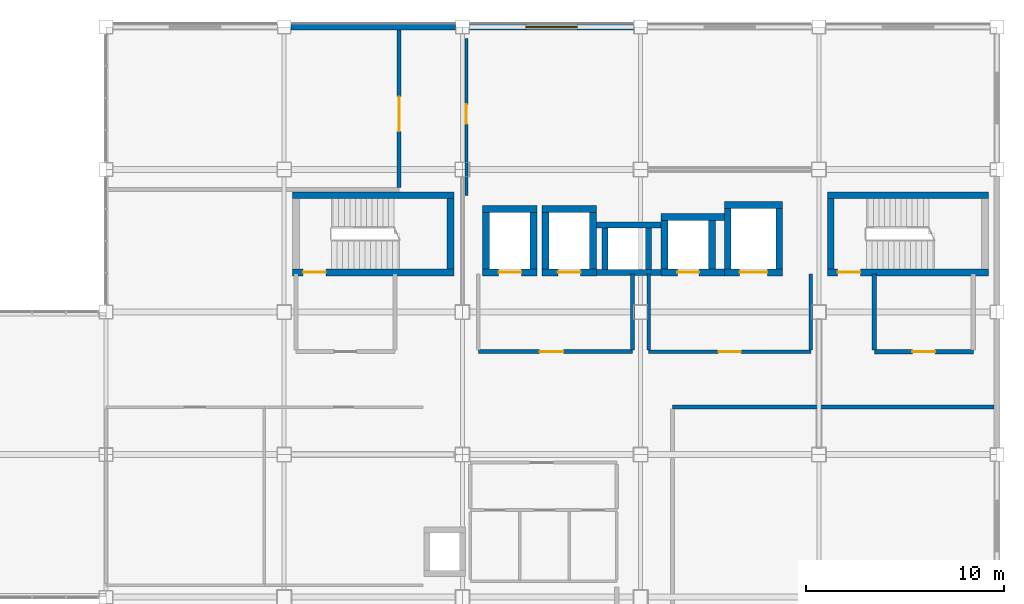
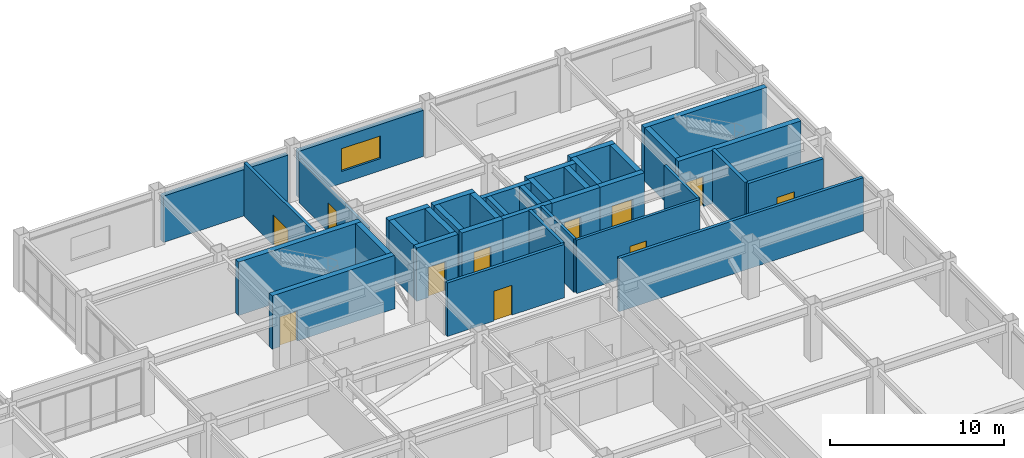
# One storey, part 105 of 122: 38 walls, 11 doors, 1 window, 12 openings.
"""IFC4 building model written with IfcOpenShell, lengths in metres."""

from ifc_helpers import new_model, si_unit, direction, frame, frame_2d, origin, place, context, subcontext, project, spatial, rectangle, extrude, material, layer, layer_set, type_object, element, fill, save


model = new_model("IFC4")

# Units and contexts
model_context = context("Model", 3, precision=1e-05, world=origin(), true_north=direction((0.0, 1.0)))
body_context = subcontext(model_context, "Body", "Model", "MODEL_VIEW")
ifc_project = project(units=[si_unit("LENGTHUNIT", "METRE"), si_unit("AREAUNIT", "SQUARE_METRE"), si_unit("VOLUMEUNIT", "CUBIC_METRE"), si_unit("PLANEANGLEUNIT", "RADIAN"), si_unit("MASSUNIT", "GRAM", prefix="KILO")], contexts=[model_context])

# Site, building, storey
site_placement = place(None, origin())
site = spatial("IfcSite", under=ifc_project, at=site_placement, CompositionType="ELEMENT")
building_placement = place(site_placement, origin())
building = spatial("IfcBuilding", under=site, at=building_placement, Name="Kazanami Central Library", CompositionType="ELEMENT")
storey_placement = place(building_placement, frame((0.0, 0.0, 4.800048828125)))
storey = spatial("IfcBuildingStorey", under=building, at=storey_placement, Name="L02", CompositionType="ELEMENT", Elevation=4.800048828125)

# Wall
ifc_material_1 = material(Name="Concrete Fc36 (36 MPa)", Category="concrete")
ifc_layer_1 = layer(ifc_material_1, 0.239990234375, Name="Concrete Fc36 (36 MPa)")
ifc_material_2 = material(Name="Extruded Polystyrene XPS", Category="earth")
ifc_layer_2 = layer(ifc_material_2, 0.050048828125, Name="Extruded Polystyrene XPS")
ifc_material_3 = material(Name="Honed Inada Granite", Category="masonry")
ifc_layer_3 = layer(ifc_material_3, 0.030029296875, Name="Honed Inada Granite")
ifc_layer_set_1 = layer_set([ifc_layer_1, ifc_layer_2, ifc_layer_3], Name="Concrete Fc36 (36 MPa)")
wall_type_1 = type_object("IfcWallType", Name="WAL-EW-320", PredefinedType="STANDARD", material=ifc_layer_set_1)
wall_1_placement = place(storey_placement, frame((134.64990234375, 93.60009765625, 0.0), z_axis=(0.0, 0.0, 1.0), x_axis=(-1.0, 0.0, 0.0)))
element("IfcWall", 1, at=wall_1_placement, inside=storey, type_object=wall_type_1, Name="Exterior Facade Wall EW-320 L02 N-O-14", PredefinedType="STANDARD", context=body_context, shape_type="SweptSolid", body=[
    extrude(rectangle(XDim=8.2998046875, YDim=0.320068359375, at=frame_2d((4.14990234375, 0.0))), origin(), (0.0, 0.0, 1.0), 3.2548828125),
])

# Wall, opening, window
wall_2_placement = place(storey_placement, frame((143.64990234375, 93.60009765625, 0.0), z_axis=(0.0, 0.0, 1.0), x_axis=(-1.0, 0.0, 0.0)))
wall_2 = element("IfcWall", 2, at=wall_2_placement, inside=storey, type_object=wall_type_1, Name="Exterior Facade Wall EW-320 L02 N-O-15", PredefinedType="STANDARD", context=body_context, shape_type="SweptSolid", body=[
    extrude(rectangle(XDim=8.2998046875, YDim=0.320068359375, at=frame_2d((4.14990234375, 0.0))), origin(), (0.0, 0.0, 1.0), 3.2548828125),
])
opening_1_placement = place(wall_2_placement, frame((2.85009765625, 0.0, 0.85009765625)))
opening_1 = element("IfcOpeningElement", 3, at=opening_1_placement, cuts=wall_2, Name="Opening WN-13", PredefinedType="OPENING", context=body_context, shape_type="SweptSolid", body=[
    extrude(rectangle(XDim=2.60009765625, YDim=1.60009765625, at=frame_2d((1.300048828125, 0.800048828125))), frame((0.0, 0.171875, 0.0), z_axis=(0.0, -1.0, 0.0), x_axis=(1.0, 0.0, 0.0)), (0.0, 0.0, 1.0), 0.343994140625),
])
ifc_material_4 = material(Name="Low-E Insulated Triple Glass", Category="glass")
window_type = type_object("IfcWindowType", Name="WIN-WN-13", PartitioningType="DOUBLE_PANEL_VERTICAL", PredefinedType="WINDOW", material=ifc_material_4)
window_placement = place(opening_1_placement, origin())
window = element("IfcWindow", 4, at=window_placement, inside=storey, type_object=window_type, Name="Facade Window WN-13 L02 N-O-15", OverallHeight=1.60009765625, OverallWidth=2.60009765625, PartitioningType="DOUBLE_PANEL_VERTICAL", PredefinedType="WINDOW", context=body_context, shape_type="SweptSolid", body=[
    extrude(rectangle(XDim=2.60009765625, YDim=1.60009765625, at=frame_2d((1.300048828125, 0.800048828125))), frame((0.0, 0.030029296875, 0.0), z_axis=(0.0, -1.0, 0.0), x_axis=(1.0, 0.0, 0.0)), (0.0, 0.0, 1.0), 0.06005859375),
])
fill(opening_1, window)

# Wall, opening, door
ifc_material_5 = material(Name="Fire-Resistant Gypsum Board GB-F", Category="gypsum")
ifc_layer_4 = layer(ifc_material_5, 0.1650390625, Name="Fire-Resistant Gypsum Board GB-F")
ifc_layer_set_2 = layer_set([ifc_layer_4], Name="Fire-Resistant Gypsum Board GB-F")
wall_type_2 = type_object("IfcWallType", Name="WAL-FW-165", PredefinedType="PARTITIONING", material=ifc_layer_set_2)
wall_3_placement = place(storey_placement, frame((135.199951171875, 85.090087890625, 0.0), z_axis=(0.0, 0.0, 1.0), x_axis=(0.0, 1.0, 0.0)))
wall_3 = element("IfcWall", 5, at=wall_3_placement, inside=storey, type_object=wall_type_2, Name="Interior Partition FW-165 L02 RM-47 (West)", PredefinedType="PARTITIONING", context=body_context, shape_type="SweptSolid", body=[
    extrude(rectangle(XDim=7.9248046875, YDim=0.1650390625, at=frame_2d((3.96240234375, 0.0))), origin(), (0.0, 0.0, 1.0), 3.034912109375),
])
opening_2_placement = place(wall_3_placement, frame((3.6201171875, 0.0, 0.0)))
opening_2 = element("IfcOpeningElement", 6, at=opening_2_placement, cuts=wall_3, Name="Opening FD30-3", PredefinedType="OPENING", context=body_context, shape_type="SweptSolid", body=[
    extrude(rectangle(XDim=0.97998046875, YDim=2.02001953125, at=frame_2d((0.489990234375, 1.010009765625))), frame((0.0, 0.094482421875, 0.0), z_axis=(0.0, -1.0, 0.0), x_axis=(1.0, 0.0, 0.0)), (0.0, 0.0, 1.0), 0.18896484375),
])
ifc_material_6 = material(Name="Cold-Rolled Steel SPCC", Category="steel")
door_type_1 = type_object("IfcDoorType", Name="DOR-FD30-3", OperationType="NOTDEFINED", PredefinedType="DOOR", material=ifc_material_6)
door_1_placement = place(opening_2_placement, origin())
door_1 = element("IfcDoor", 7, at=door_1_placement, inside=storey, type_object=door_type_1, Name="Interior Door FD30-3 L02 RM-47", OperationType="SINGLE_SWING_LEFT", OverallHeight=2.02001953125, OverallWidth=0.97998046875, PredefinedType="DOOR", context=body_context, shape_type="SweptSolid", body=[
    extrude(rectangle(XDim=0.97998046875, YDim=2.02001953125, at=frame_2d((0.489990234375, 1.010009765625))), frame((0.0, 0.02490234375, 0.0), z_axis=(0.0, -1.0, 0.0), x_axis=(1.0, 0.0, 0.0)), (0.0, 0.0, 1.0), 0.050048828125),
])
fill(opening_2, door_1)

ifc_layer_5 = layer(ifc_material_5, 0.179931640625, Name="Fire-Resistant Gypsum Board GB-F")
ifc_layer_set_3 = layer_set([ifc_layer_5], Name="Fire-Resistant Gypsum Board GB-F")
wall_type_3 = type_object("IfcWallType", Name="WAL-FW-180", PredefinedType="PARTITIONING", material=ifc_layer_set_3)
wall_4_placement = place(storey_placement, frame((144.39990234375, 77.199951171875, 0.0), z_axis=(0.0, 0.0, 1.0), x_axis=(1.0, 0.0, 0.0)))
wall_4 = element("IfcWall", 8, at=wall_4_placement, inside=storey, type_object=wall_type_3, Name="Interior Partition FW-180 L02 LOBBY-V2 (South)", PredefinedType="PARTITIONING", context=body_context, shape_type="SweptSolid", body=[
    extrude(rectangle(XDim=8.2001953125, YDim=0.179931640625, at=frame_2d((4.10009765625, 0.0))), origin(), (0.0, 0.0, 1.0), 3.7548828125),
])
opening_3_placement = place(wall_4_placement, frame((3.5400390625, 0.0, 0.0)))
opening_3 = element("IfcOpeningElement", 9, at=opening_3_placement, cuts=wall_4, Name="Opening FD30-8", PredefinedType="OPENING", context=body_context, shape_type="SweptSolid", body=[
    extrude(rectangle(XDim=1.1201171875, YDim=2.080078125, at=frame_2d((0.56005859375, 1.0400390625))), frame((0.0, 0.10205078125, 0.0), z_axis=(0.0, -1.0, 0.0), x_axis=(1.0, 0.0, 0.0)), (0.0, 0.0, 1.0), 0.203857421875),
])
door_type_2 = type_object("IfcDoorType", Name="DOR-FD30-8", OperationType="NOTDEFINED", PredefinedType="DOOR", material=ifc_material_6)
door_2_placement = place(opening_3_placement, frame((1.1201171875, 0.0, 0.0), z_axis=(0.0, 0.0, 1.0), x_axis=(-1.0, 0.0, 0.0)))
door_2 = element("IfcDoor", 10, at=door_2_placement, inside=storey, type_object=door_type_2, Name="Interior Door FD30-8 L02 LOBBY-V2", OperationType="SINGLE_SWING_LEFT", OverallHeight=2.080078125, OverallWidth=1.1201171875, PredefinedType="DOOR", context=body_context, shape_type="SweptSolid", body=[
    extrude(rectangle(XDim=1.1201171875, YDim=2.080078125, at=frame_2d((0.56005859375, 1.0400390625))), frame((0.0, 0.02490234375, 0.0), z_axis=(0.0, -1.0, 0.0), x_axis=(1.0, 0.0, 0.0)), (0.0, 0.0, 1.0), 0.050048828125),
])
fill(opening_3, door_2)

# Walls
for number, where, z_axis, x_axis, name in (
    (11, (144.39990234375, 77.2900390625, 0.0), (0.0, 0.0, 1.0), (0.0, 1.0, 0.0), "Interior Partition FW-180 L02 LOBBY-V2 (West)"),
    (12, (152.60009765625, 77.2900390625, 0.0), (0.0, 0.0, 1.0), (0.0, 1.0, 0.0), "Interior Partition FW-180 L02 LOBBY-V2 (East)"),
):
    element("IfcWall", number, at=place(storey_placement, frame(where, z_axis=z_axis, x_axis=x_axis)), inside=storey, type_object=wall_type_3, Name=name, PredefinedType="PARTITIONING", context=body_context, shape_type="SweptSolid", body=[
        extrude(rectangle(XDim=3.820068359375, YDim=0.179931640625, at=frame_2d((1.91015625, 0.0))), origin(), (0.0, 0.0, 1.0), 3.7548828125),
    ])

# Wall, opening, door
ifc_layer_6 = layer(ifc_material_5, 0.199951171875, Name="Fire-Resistant Gypsum Board GB-F")
ifc_layer_set_4 = layer_set([ifc_layer_6], Name="Fire-Resistant Gypsum Board GB-F")
wall_type_4 = type_object("IfcWallType", Name="WAL-FW-200", PredefinedType="PARTITIONING", material=ifc_layer_set_4)
wall_5_placement = place(storey_placement, frame((135.800048828125, 77.199951171875, 0.0), z_axis=(0.0, 0.0, 1.0), x_axis=(1.0, 0.0, 0.0)))
wall_5 = element("IfcWall", 13, at=wall_5_placement, inside=storey, type_object=wall_type_4, Name="Interior Partition FW-200 L02 LOBBY-FF (South)", PredefinedType="PARTITIONING", context=body_context, shape_type="SweptSolid", body=[
    extrude(rectangle(XDim=7.800048828125, YDim=0.199951171875, at=frame_2d((3.89990234375, 0.0))), origin(), (0.0, 0.0, 1.0), 3.7548828125),
])
opening_4_placement = place(wall_5_placement, frame((3.10009765625, 0.0, 0.0)))
opening_4 = element("IfcOpeningElement", 14, at=opening_4_placement, cuts=wall_5, Name="Opening FD60-1", PredefinedType="OPENING", context=body_context, shape_type="SweptSolid", body=[
    extrude(rectangle(XDim=1.199951171875, YDim=2.10009765625, at=frame_2d((0.60009765625, 1.050048828125))), frame((0.0, 0.11181640625, 0.0), z_axis=(0.0, -1.0, 0.0), x_axis=(1.0, 0.0, 0.0)), (0.0, 0.0, 1.0), 0.223876953125),
])
door_type_3 = type_object("IfcDoorType", Name="DOR-FD60-1", OperationType="NOTDEFINED", PredefinedType="DOOR", material=ifc_material_6)
door_3_placement = place(opening_4_placement, frame((1.199951171875, 0.0, 0.0), z_axis=(0.0, 0.0, 1.0), x_axis=(-1.0, 0.0, 0.0)))
door_3 = element("IfcDoor", 15, at=door_3_placement, inside=storey, type_object=door_type_3, Name="Interior Door FD60-1 L02 LOBBY-FF", OperationType="SINGLE_SWING_RIGHT", OverallHeight=2.10009765625, OverallWidth=1.199951171875, PredefinedType="DOOR", context=body_context, shape_type="SweptSolid", body=[
    extrude(rectangle(XDim=1.199951171875, YDim=2.10009765625, at=frame_2d((0.60009765625, 1.050048828125))), frame((0.0, 0.02490234375, 0.0), z_axis=(0.0, -1.0, 0.0), x_axis=(1.0, 0.0, 0.0)), (0.0, 0.0, 1.0), 0.050048828125),
])
fill(opening_4, door_3)

# Walls
wall_6_placement = place(storey_placement, frame((143.60009765625, 77.2900390625, 0.0), z_axis=(0.0, 0.0, 1.0), x_axis=(0.0, 1.0, 0.0)))
element("IfcWall", 16, at=wall_6_placement, inside=storey, type_object=wall_type_4, Name="Interior Partition FW-200 L02 LOBBY-FF (East)", PredefinedType="PARTITIONING", context=body_context, shape_type="SweptSolid", body=[
    extrude(rectangle(XDim=3.820068359375, YDim=0.199951171875, at=frame_2d((1.91015625, 0.0))), origin(), (0.0, 0.0, 1.0), 3.7548828125),
])
wall_7_placement = place(storey_placement, frame((145.60009765625, 74.39990234375, 0.0), z_axis=(0.0, 0.0, 1.0), x_axis=(1.0, 0.0, 0.0)))
element("IfcWall", 17, at=wall_7_placement, inside=storey, type_object=wall_type_4, Name="Interior Partition FW-200 L02 RM-45 (North)", PredefinedType="PARTITIONING", context=body_context, shape_type="SweptSolid", body=[
    extrude(rectangle(XDim=16.244873046875, YDim=0.199951171875, at=frame_2d((8.12255859375, 0.0))), origin(), (0.0, 0.0, 1.0), 3.7548828125),
])

# Wall, opening, door
wall_8_placement = place(storey_placement, frame((131.800048828125, 85.489990234375, 0.0), z_axis=(0.0, 0.0, 1.0), x_axis=(0.0, 1.0, 0.0)))
wall_8 = element("IfcWall", 18, at=wall_8_placement, inside=storey, type_object=wall_type_4, Name="Interior Partition FW-200 L02 RM-46 (East)", PredefinedType="PARTITIONING", context=body_context, shape_type="SweptSolid", body=[
    extrude(rectangle(XDim=7.945068359375, YDim=0.199951171875, at=frame_2d((3.97265625, 0.0))), origin(), (0.0, 0.0, 1.0), 3.7548828125),
])
opening_5_placement = place(wall_8_placement, frame((2.8349609375, 0.0, 0.0)))
opening_5 = element("IfcOpeningElement", 19, at=opening_5_placement, cuts=wall_8, Name="Opening FD60-5", PredefinedType="OPENING", context=body_context, shape_type="SweptSolid", body=[
    extrude(rectangle(XDim=1.75, YDim=2.1201171875, at=frame_2d((0.875, 1.06005859375))), frame((0.0, 0.11181640625, 0.0), z_axis=(0.0, -1.0, 0.0), x_axis=(1.0, 0.0, 0.0)), (0.0, 0.0, 1.0), 0.223876953125),
])
door_type_4 = type_object("IfcDoorType", Name="DOR-FD60-5", OperationType="DOUBLE_DOOR_SINGLE_SWING", PredefinedType="DOOR", material=ifc_material_6)
door_4_placement = place(opening_5_placement, origin())
door_4 = element("IfcDoor", 20, at=door_4_placement, inside=storey, type_object=door_type_4, Name="Interior Door FD60-5 L02 RM-46", OperationType="DOUBLE_DOOR_SINGLE_SWING", OverallHeight=2.1201171875, OverallWidth=1.75, PredefinedType="DOOR", context=body_context, shape_type="SweptSolid", body=[
    extrude(rectangle(XDim=1.75, YDim=2.1201171875, at=frame_2d((0.875, 1.06005859375))), frame((0.0, 0.02490234375, 0.0), z_axis=(0.0, -1.0, 0.0), x_axis=(1.0, 0.0, 0.0)), (0.0, 0.0, 1.0), 0.050048828125),
])
fill(opening_5, door_4)

ifc_layer_7 = layer(ifc_material_5, 0.219970703125, Name="Fire-Resistant Gypsum Board GB-F")
ifc_layer_set_5 = layer_set([ifc_layer_7], Name="Fire-Resistant Gypsum Board GB-F")
wall_type_5 = type_object("IfcWallType", Name="WAL-FW-220", PredefinedType="PARTITIONING", material=ifc_layer_set_5)
wall_9_placement = place(storey_placement, frame((155.800048828125, 77.199951171875, 0.0), z_axis=(0.0, 0.0, 1.0), x_axis=(1.0, 0.0, 0.0)))
wall_9 = element("IfcWall", 21, at=wall_9_placement, inside=storey, type_object=wall_type_5, Name="Interior Partition FW-220 L02 VEST-ST-02 (South)", PredefinedType="PARTITIONING", context=body_context, shape_type="SweptSolid", body=[
    extrude(rectangle(XDim=5.0, YDim=0.219970703125, at=frame_2d((2.5, 0.0))), origin(), (0.0, 0.0, 1.0), 3.7548828125),
])
opening_6_placement = place(wall_9_placement, frame((1.925048828125, 0.0, 0.0)))
opening_6 = element("IfcOpeningElement", 22, at=opening_6_placement, cuts=wall_9, Name="Opening FD60-2", PredefinedType="OPENING", context=body_context, shape_type="SweptSolid", body=[
    extrude(rectangle(XDim=1.14990234375, YDim=2.10009765625, at=frame_2d((0.574951171875, 1.050048828125))), frame((0.0, 0.1220703125, 0.0), z_axis=(0.0, -1.0, 0.0), x_axis=(1.0, 0.0, 0.0)), (0.0, 0.0, 1.0), 0.243896484375),
])
door_type_5 = type_object("IfcDoorType", Name="DOR-FD60-2", OperationType="NOTDEFINED", PredefinedType="DOOR", material=ifc_material_6)
door_5_placement = place(opening_6_placement, origin())
door_5 = element("IfcDoor", 23, at=door_5_placement, inside=storey, type_object=door_type_5, Name="Interior Door FD60-2 L02 VEST-ST-02", OperationType="SINGLE_SWING_LEFT", OverallHeight=2.10009765625, OverallWidth=1.14990234375, PredefinedType="DOOR", context=body_context, shape_type="SweptSolid", body=[
    extrude(rectangle(XDim=1.14990234375, YDim=2.10009765625, at=frame_2d((0.574951171875, 1.050048828125))), frame((0.0, 0.02490234375, 0.0), z_axis=(0.0, -1.0, 0.0), x_axis=(1.0, 0.0, 0.0)), (0.0, 0.0, 1.0), 0.050048828125),
])
fill(opening_6, door_5)

# Walls
wall_10_placement = place(storey_placement, frame((155.800048828125, 77.2900390625, 0.0), z_axis=(0.0, 0.0, 1.0), x_axis=(0.0, 1.0, 0.0)))
element("IfcWall", 24, at=wall_10_placement, inside=storey, type_object=wall_type_5, Name="Interior Partition FW-220 L02 VEST-ST-02 (West)", PredefinedType="PARTITIONING", context=body_context, shape_type="SweptSolid", body=[
    extrude(rectangle(XDim=3.820068359375, YDim=0.219970703125, at=frame_2d((1.91015625, 0.0))), origin(), (0.0, 0.0, 1.0), 3.7548828125),
])
ifc_layer_8 = layer(ifc_material_1, 0.300048828125, Name="Concrete Fc36 (36 MPa)")
ifc_layer_set_6 = layer_set([ifc_layer_8], Name="Concrete Fc36 (36 MPa)")
wall_type_6 = type_object("IfcWallType", Name="WAL-SW-300", PredefinedType="SHEAR", material=ifc_layer_set_6)
for number, where, z_axis, x_axis, name in (
    (25, (141.77490234375, 81.199951171875, 0.0), (0.0, 0.0, 1.0), (1.0, 0.0, 0.0), "Service Riser Wall RSR-V2-A S L02"),
    (26, (141.77490234375, 83.60009765625, 0.0), (0.0, 0.0, 1.0), (1.0, 0.0, 0.0), "Service Riser Wall RSR-V2-A N L02"),
):
    element("IfcWall", number, at=place(storey_placement, frame(where, z_axis=z_axis, x_axis=x_axis)), inside=storey, type_object=wall_type_6, Name=name, PredefinedType="SHEAR", context=body_context, shape_type="SweptSolid", body=[
        extrude(rectangle(XDim=3.25, YDim=0.300048828125, at=frame_2d((1.625, 0.0))), origin(), (0.0, 0.0, 1.0), 3.7548828125),
    ])
for number, where, z_axis, x_axis, name in (
    (27, (142.199951171875, 81.35009765625, 0.0), (0.0, 0.0, 1.0), (0.0, 1.0, 0.0), "Service Riser Wall RSR-V2-A W L02"),
    (28, (144.39990234375, 81.35009765625, 0.0), (0.0, 0.0, 1.0), (0.0, 1.0, 0.0), "Service Riser Wall RSR-V2-A E L02"),
):
    element("IfcWall", number, at=place(storey_placement, frame(where, z_axis=z_axis, x_axis=x_axis)), inside=storey, type_object=wall_type_6, Name=name, PredefinedType="SHEAR", context=body_context, shape_type="SweptSolid", body=[
        extrude(rectangle(XDim=2.099853515625, YDim=0.300048828125, at=frame_2d((1.0498046875, 0.0))), origin(), (0.0, 0.0, 1.0), 3.7548828125),
    ])

# Wall, opening, door
ifc_layer_9 = layer(ifc_material_1, 0.35009765625, Name="Concrete Fc36 (36 MPa)")
ifc_layer_set_7 = layer_set([ifc_layer_9], Name="Concrete Fc36 (36 MPa)")
wall_type_7 = type_object("IfcWallType", Name="WAL-SW-350", PredefinedType="SHEAR", material=ifc_layer_set_7)
wall_11_placement = place(storey_placement, frame((126.425048828125, 81.199951171875, 0.0), z_axis=(0.0, 0.0, 1.0), x_axis=(1.0, 0.0, 0.0)))
wall_11 = element("IfcWall", 29, at=wall_11_placement, inside=storey, type_object=wall_type_7, Name="Stair Core Wall ST-01 South L02", PredefinedType="SHEAR", context=body_context, shape_type="SweptSolid", body=[
    extrude(rectangle(XDim=8.14990234375, YDim=0.35009765625, at=frame_2d((4.074951171875, 0.0))), origin(), (0.0, 0.0, 1.0), 3.7548828125),
])
opening_7_placement = place(wall_11_placement, frame((0.52490234375, 0.0, 0.0)))
opening_7 = element("IfcOpeningElement", 30, at=opening_7_placement, cuts=wall_11, Name="Opening FD60-2", PredefinedType="OPENING", context=body_context, shape_type="SweptSolid", body=[
    extrude(rectangle(XDim=1.14990234375, YDim=2.10009765625, at=frame_2d((0.574951171875, 1.050048828125))), frame((0.0, 0.18701171875, 0.0), z_axis=(0.0, -1.0, 0.0), x_axis=(1.0, 0.0, 0.0)), (0.0, 0.0, 1.0), 0.3740234375),
])
door_6_placement = place(opening_7_placement, origin())
door_6 = element("IfcDoor", 31, at=door_6_placement, inside=storey, type_object=door_type_5, Name="Escape Stair ST-01 Fire Door L02", OperationType="SINGLE_SWING_LEFT", OverallHeight=2.10009765625, OverallWidth=1.14990234375, PredefinedType="DOOR", context=body_context, shape_type="SweptSolid", body=[
    extrude(rectangle(XDim=1.14990234375, YDim=2.10009765625, at=frame_2d((0.574951171875, 1.050048828125))), frame((0.0, 0.02490234375, 0.0), z_axis=(0.0, -1.0, 0.0), x_axis=(1.0, 0.0, 0.0)), (0.0, 0.0, 1.0), 0.050048828125),
])
fill(opening_7, door_6)

# Walls
wall_12_placement = place(storey_placement, frame((126.425048828125, 85.10009765625, 0.0), z_axis=(0.0, 0.0, 1.0), x_axis=(1.0, 0.0, 0.0)))
element("IfcWall", 32, at=wall_12_placement, inside=storey, type_object=wall_type_7, Name="Stair Core Wall ST-01 North L02", PredefinedType="SHEAR", context=body_context, shape_type="SweptSolid", body=[
    extrude(rectangle(XDim=8.14990234375, YDim=0.35009765625, at=frame_2d((4.074951171875, 0.0))), origin(), (0.0, 0.0, 1.0), 3.7548828125),
])
wall_13_placement = place(storey_placement, frame((134.39990234375, 81.375, 0.0), z_axis=(0.0, 0.0, 1.0), x_axis=(0.0, 1.0, 0.0)))
element("IfcWall", 33, at=wall_13_placement, inside=storey, type_object=wall_type_7, Name="Stair Core Wall ST-01 East L02", PredefinedType="SHEAR", context=body_context, shape_type="SweptSolid", body=[
    extrude(rectangle(XDim=3.550048828125, YDim=0.35009765625, at=frame_2d((1.77490234375, 0.0))), origin(), (0.0, 0.0, 1.0), 3.7548828125),
])

# Wall, opening, door
wall_14_placement = place(storey_placement, frame((153.425048828125, 81.199951171875, 0.0), z_axis=(0.0, 0.0, 1.0), x_axis=(1.0, 0.0, 0.0)))
wall_14 = element("IfcWall", 34, at=wall_14_placement, inside=storey, type_object=wall_type_7, Name="Stair Core Wall ST-02 South L02", PredefinedType="SHEAR", context=body_context, shape_type="SweptSolid", body=[
    extrude(rectangle(XDim=8.14990234375, YDim=0.35009765625, at=frame_2d((4.074951171875, 0.0))), origin(), (0.0, 0.0, 1.0), 3.7548828125),
])
opening_8_placement = place(wall_14_placement, frame((0.52490234375, 0.0, 0.0)))
opening_8 = element("IfcOpeningElement", 35, at=opening_8_placement, cuts=wall_14, Name="Opening FD60-2", PredefinedType="OPENING", context=body_context, shape_type="SweptSolid", body=[
    extrude(rectangle(XDim=1.14990234375, YDim=2.10009765625, at=frame_2d((0.574951171875, 1.050048828125))), frame((0.0, 0.18701171875, 0.0), z_axis=(0.0, -1.0, 0.0), x_axis=(1.0, 0.0, 0.0)), (0.0, 0.0, 1.0), 0.3740234375),
])
door_7_placement = place(opening_8_placement, origin())
door_7 = element("IfcDoor", 36, at=door_7_placement, inside=storey, type_object=door_type_5, Name="Escape Stair ST-02 Fire Door L02", OperationType="SINGLE_SWING_LEFT", OverallHeight=2.10009765625, OverallWidth=1.14990234375, PredefinedType="DOOR", context=body_context, shape_type="SweptSolid", body=[
    extrude(rectangle(XDim=1.14990234375, YDim=2.10009765625, at=frame_2d((0.574951171875, 1.050048828125))), frame((0.0, 0.02490234375, 0.0), z_axis=(0.0, -1.0, 0.0), x_axis=(1.0, 0.0, 0.0)), (0.0, 0.0, 1.0), 0.050048828125),
])
fill(opening_8, door_7)

# Walls
wall_15_placement = place(storey_placement, frame((153.425048828125, 85.10009765625, 0.0), z_axis=(0.0, 0.0, 1.0), x_axis=(1.0, 0.0, 0.0)))
element("IfcWall", 37, at=wall_15_placement, inside=storey, type_object=wall_type_7, Name="Stair Core Wall ST-02 North L02", PredefinedType="SHEAR", context=body_context, shape_type="SweptSolid", body=[
    extrude(rectangle(XDim=8.14990234375, YDim=0.35009765625, at=frame_2d((4.074951171875, 0.0))), origin(), (0.0, 0.0, 1.0), 3.7548828125),
])
wall_16_placement = place(storey_placement, frame((153.60009765625, 81.375, 0.0), z_axis=(0.0, 0.0, 1.0), x_axis=(0.0, 1.0, 0.0)))
element("IfcWall", 38, at=wall_16_placement, inside=storey, type_object=wall_type_7, Name="Stair Core Wall ST-02 West L02", PredefinedType="SHEAR", context=body_context, shape_type="SweptSolid", body=[
    extrude(rectangle(XDim=3.550048828125, YDim=0.35009765625, at=frame_2d((1.77490234375, 0.0))), origin(), (0.0, 0.0, 1.0), 3.7548828125),
])

# Wall, opening, door
wall_17_placement = place(storey_placement, frame((136.02490234375, 81.199951171875, 0.0), z_axis=(0.0, 0.0, 1.0), x_axis=(1.0, 0.0, 0.0)))
wall_17 = element("IfcWall", 39, at=wall_17_placement, inside=storey, type_object=wall_type_7, Name="Lift Shaft Wall EL-F1 South L02", PredefinedType="SHEAR", context=body_context, shape_type="SweptSolid", body=[
    extrude(rectangle(XDim=2.75, YDim=0.35009765625, at=frame_2d((1.375, 0.0))), origin(), (0.0, 0.0, 1.0), 3.7548828125),
])
opening_9_placement = place(wall_17_placement, frame((0.800048828125, 0.0, 0.0)))
opening_9 = element("IfcOpeningElement", 40, at=opening_9_placement, cuts=wall_17, Name="Opening LD-02", PredefinedType="OPENING", context=body_context, shape_type="SweptSolid", body=[
    extrude(rectangle(XDim=1.14990234375, YDim=2.1201171875, at=frame_2d((0.574951171875, 1.06005859375))), frame((0.0, 0.18701171875, 0.0), z_axis=(0.0, -1.0, 0.0), x_axis=(1.0, 0.0, 0.0)), (0.0, 0.0, 1.0), 0.3740234375),
])
ifc_material_7 = material(Name="Stainless Steel SUS304", Category="steel")
door_type_6 = type_object("IfcDoorType", Name="DOR-LD-02", OperationType="SLIDING_TO_LEFT", PredefinedType="DOOR", material=ifc_material_7)
door_8_placement = place(opening_9_placement, origin())
door_8 = element("IfcDoor", 41, at=door_8_placement, inside=storey, type_object=door_type_6, Name="Lift Landing Sliding Door EL-F1 (L02)", OperationType="SLIDING_TO_LEFT", OverallHeight=2.1201171875, OverallWidth=1.14990234375, PredefinedType="DOOR", context=body_context, shape_type="SweptSolid", body=[
    extrude(rectangle(XDim=1.14990234375, YDim=2.1201171875, at=frame_2d((0.574951171875, 1.06005859375))), frame((0.0, 0.02490234375, 0.0), z_axis=(0.0, -1.0, 0.0), x_axis=(1.0, 0.0, 0.0)), (0.0, 0.0, 1.0), 0.050048828125),
])
fill(opening_9, door_8)

# Walls
wall_18_placement = place(storey_placement, frame((136.02490234375, 84.39990234375, 0.0), z_axis=(0.0, 0.0, 1.0), x_axis=(1.0, 0.0, 0.0)))
element("IfcWall", 42, at=wall_18_placement, inside=storey, type_object=wall_type_7, Name="Lift Shaft Wall EL-F1 North L02", PredefinedType="SHEAR", context=body_context, shape_type="SweptSolid", body=[
    extrude(rectangle(XDim=2.75, YDim=0.35009765625, at=frame_2d((1.375, 0.0))), origin(), (0.0, 0.0, 1.0), 3.7548828125),
])
for number, where, z_axis, x_axis, name in (
    (43, (136.199951171875, 81.375, 0.0), (0.0, 0.0, 1.0), (0.0, 1.0, 0.0), "Lift Shaft Wall EL-F1 West L02"),
    (44, (138.60009765625, 81.375, 0.0), (0.0, 0.0, 1.0), (0.0, 1.0, 0.0), "Lift Shaft Wall EL-F1 East L02"),
):
    element("IfcWall", number, at=place(storey_placement, frame(where, z_axis=z_axis, x_axis=x_axis)), inside=storey, type_object=wall_type_7, Name=name, PredefinedType="SHEAR", context=body_context, shape_type="SweptSolid", body=[
        extrude(rectangle(XDim=2.85009765625, YDim=0.35009765625, at=frame_2d((1.425048828125, 0.0))), origin(), (0.0, 0.0, 1.0), 3.7548828125),
    ])

# Wall, opening, door
wall_19_placement = place(storey_placement, frame((139.02490234375, 81.199951171875, 0.0), z_axis=(0.0, 0.0, 1.0), x_axis=(1.0, 0.0, 0.0)))
wall_19 = element("IfcWall", 45, at=wall_19_placement, inside=storey, type_object=wall_type_7, Name="Lift Shaft Wall EL-F2 South L02", PredefinedType="SHEAR", context=body_context, shape_type="SweptSolid", body=[
    extrude(rectangle(XDim=2.75, YDim=0.35009765625, at=frame_2d((1.375, 0.0))), origin(), (0.0, 0.0, 1.0), 3.7548828125),
])
opening_10_placement = place(wall_19_placement, frame((0.800048828125, 0.0, 0.0)))
opening_10 = element("IfcOpeningElement", 46, at=opening_10_placement, cuts=wall_19, Name="Opening LD-02", PredefinedType="OPENING", context=body_context, shape_type="SweptSolid", body=[
    extrude(rectangle(XDim=1.14990234375, YDim=2.1201171875, at=frame_2d((0.574951171875, 1.06005859375))), frame((0.0, 0.18701171875, 0.0), z_axis=(0.0, -1.0, 0.0), x_axis=(1.0, 0.0, 0.0)), (0.0, 0.0, 1.0), 0.3740234375),
])
door_9_placement = place(opening_10_placement, origin())
door_9 = element("IfcDoor", 47, at=door_9_placement, inside=storey, type_object=door_type_6, Name="Lift Landing Sliding Door EL-F2 (L02)", OperationType="SLIDING_TO_LEFT", OverallHeight=2.1201171875, OverallWidth=1.14990234375, PredefinedType="DOOR", context=body_context, shape_type="SweptSolid", body=[
    extrude(rectangle(XDim=1.14990234375, YDim=2.1201171875, at=frame_2d((0.574951171875, 1.06005859375))), frame((0.0, 0.02490234375, 0.0), z_axis=(0.0, -1.0, 0.0), x_axis=(1.0, 0.0, 0.0)), (0.0, 0.0, 1.0), 0.050048828125),
])
fill(opening_10, door_9)

# Walls
wall_20_placement = place(storey_placement, frame((139.02490234375, 84.39990234375, 0.0), z_axis=(0.0, 0.0, 1.0), x_axis=(1.0, 0.0, 0.0)))
element("IfcWall", 48, at=wall_20_placement, inside=storey, type_object=wall_type_7, Name="Lift Shaft Wall EL-F2 North L02", PredefinedType="SHEAR", context=body_context, shape_type="SweptSolid", body=[
    extrude(rectangle(XDim=2.75, YDim=0.35009765625, at=frame_2d((1.375, 0.0))), origin(), (0.0, 0.0, 1.0), 3.7548828125),
])
for number, where, z_axis, x_axis, name in (
    (49, (139.199951171875, 81.375, 0.0), (0.0, 0.0, 1.0), (0.0, 1.0, 0.0), "Lift Shaft Wall EL-F2 West L02"),
    (50, (141.60009765625, 81.375, 0.0), (0.0, 0.0, 1.0), (0.0, 1.0, 0.0), "Lift Shaft Wall EL-F2 East L02"),
):
    element("IfcWall", number, at=place(storey_placement, frame(where, z_axis=z_axis, x_axis=x_axis)), inside=storey, type_object=wall_type_7, Name=name, PredefinedType="SHEAR", context=body_context, shape_type="SweptSolid", body=[
        extrude(rectangle(XDim=2.85009765625, YDim=0.35009765625, at=frame_2d((1.425048828125, 0.0))), origin(), (0.0, 0.0, 1.0), 3.7548828125),
    ])

# Wall, opening, door
wall_21_placement = place(storey_placement, frame((145.02490234375, 81.199951171875, 0.0), z_axis=(0.0, 0.0, 1.0), x_axis=(1.0, 0.0, 0.0)))
wall_21 = element("IfcWall", 51, at=wall_21_placement, inside=storey, type_object=wall_type_7, Name="Lift Shaft Wall EL-P1 South L02", PredefinedType="SHEAR", context=body_context, shape_type="SweptSolid", body=[
    extrude(rectangle(XDim=3.2001953125, YDim=0.35009765625, at=frame_2d((1.60009765625, 0.0))), origin(), (0.0, 0.0, 1.0), 3.7548828125),
])
opening_11_placement = place(wall_21_placement, frame((0.824951171875, 0.0, 0.0)))
opening_11 = element("IfcOpeningElement", 52, at=opening_11_placement, cuts=wall_21, Name="Opening LD-01", PredefinedType="OPENING", context=body_context, shape_type="SweptSolid", body=[
    extrude(rectangle(XDim=1.10009765625, YDim=2.10009765625, at=frame_2d((0.550048828125, 1.050048828125))), frame((0.0, 0.18701171875, 0.0), z_axis=(0.0, -1.0, 0.0), x_axis=(1.0, 0.0, 0.0)), (0.0, 0.0, 1.0), 0.3740234375),
])
door_type_7 = type_object("IfcDoorType", Name="DOR-LD-01", OperationType="SLIDING_TO_LEFT", PredefinedType="DOOR", material=ifc_material_7)
door_10_placement = place(opening_11_placement, origin())
door_10 = element("IfcDoor", 53, at=door_10_placement, inside=storey, type_object=door_type_7, Name="Lift Landing Sliding Door EL-P1 (L02)", OperationType="SLIDING_TO_LEFT", OverallHeight=2.10009765625, OverallWidth=1.10009765625, PredefinedType="DOOR", context=body_context, shape_type="SweptSolid", body=[
    extrude(rectangle(XDim=1.10009765625, YDim=2.10009765625, at=frame_2d((0.550048828125, 1.050048828125))), frame((0.0, 0.02490234375, 0.0), z_axis=(0.0, -1.0, 0.0), x_axis=(1.0, 0.0, 0.0)), (0.0, 0.0, 1.0), 0.050048828125),
])
fill(opening_11, door_10)

# Walls
wall_22_placement = place(storey_placement, frame((145.02490234375, 84.0, 0.0), z_axis=(0.0, 0.0, 1.0), x_axis=(1.0, 0.0, 0.0)))
element("IfcWall", 54, at=wall_22_placement, inside=storey, type_object=wall_type_7, Name="Lift Shaft Wall EL-P1 North L02", PredefinedType="SHEAR", context=body_context, shape_type="SweptSolid", body=[
    extrude(rectangle(XDim=3.2001953125, YDim=0.35009765625, at=frame_2d((1.60009765625, 0.0))), origin(), (0.0, 0.0, 1.0), 3.7548828125),
])
for number, where, z_axis, x_axis, name in (
    (55, (145.199951171875, 81.375, 0.0), (0.0, 0.0, 1.0), (0.0, 1.0, 0.0), "Lift Shaft Wall EL-P1 West L02"),
    (56, (147.60009765625, 81.375, 0.0), (0.0, 0.0, 1.0), (0.0, 1.0, 0.0), "Lift Shaft Wall EL-P1 East L02"),
):
    element("IfcWall", number, at=place(storey_placement, frame(where, z_axis=z_axis, x_axis=x_axis)), inside=storey, type_object=wall_type_7, Name=name, PredefinedType="SHEAR", context=body_context, shape_type="SweptSolid", body=[
        extrude(rectangle(XDim=2.449951171875, YDim=0.35009765625, at=frame_2d((1.22509765625, 0.0))), origin(), (0.0, 0.0, 1.0), 3.7548828125),
    ])

# Wall, opening, door
wall_23_placement = place(storey_placement, frame((148.22509765625, 81.199951171875, 0.0), z_axis=(0.0, 0.0, 1.0), x_axis=(1.0, 0.0, 0.0)))
wall_23 = element("IfcWall", 57, at=wall_23_placement, inside=storey, type_object=wall_type_7, Name="Lift Shaft Wall EL-S1 South L02", PredefinedType="SHEAR", context=body_context, shape_type="SweptSolid", body=[
    extrude(rectangle(XDim=2.949951171875, YDim=0.35009765625, at=frame_2d((1.47509765625, 0.0))), origin(), (0.0, 0.0, 1.0), 3.7548828125),
])
opening_12_placement = place(wall_23_placement, frame((0.77490234375, 0.0, 0.0)))
opening_12 = element("IfcOpeningElement", 58, at=opening_12_placement, cuts=wall_23, Name="Opening LD-03", PredefinedType="OPENING", context=body_context, shape_type="SweptSolid", body=[
    extrude(rectangle(XDim=1.39990234375, YDim=2.14990234375, at=frame_2d((0.699951171875, 1.074951171875))), frame((0.0, 0.18701171875, 0.0), z_axis=(0.0, -1.0, 0.0), x_axis=(1.0, 0.0, 0.0)), (0.0, 0.0, 1.0), 0.3740234375),
])
door_type_8 = type_object("IfcDoorType", Name="DOR-LD-03", OperationType="SLIDING_TO_LEFT", PredefinedType="DOOR", material=ifc_material_7)
door_11_placement = place(opening_12_placement, origin())
door_11 = element("IfcDoor", 59, at=door_11_placement, inside=storey, type_object=door_type_8, Name="Lift Landing Sliding Door EL-S1 (L02)", OperationType="SLIDING_TO_LEFT", OverallHeight=2.14990234375, OverallWidth=1.39990234375, PredefinedType="DOOR", context=body_context, shape_type="SweptSolid", body=[
    extrude(rectangle(XDim=1.39990234375, YDim=2.14990234375, at=frame_2d((0.699951171875, 1.074951171875))), frame((0.0, 0.02490234375, 0.0), z_axis=(0.0, -1.0, 0.0), x_axis=(1.0, 0.0, 0.0)), (0.0, 0.0, 1.0), 0.050048828125),
])
fill(opening_12, door_11)

# Walls
wall_24_placement = place(storey_placement, frame((148.22509765625, 84.60009765625, 0.0), z_axis=(0.0, 0.0, 1.0), x_axis=(1.0, 0.0, 0.0)))
element("IfcWall", 60, at=wall_24_placement, inside=storey, type_object=wall_type_7, Name="Lift Shaft Wall EL-S1 North L02", PredefinedType="SHEAR", context=body_context, shape_type="SweptSolid", body=[
    extrude(rectangle(XDim=2.949951171875, YDim=0.35009765625, at=frame_2d((1.47509765625, 0.0))), origin(), (0.0, 0.0, 1.0), 3.7548828125),
])
for number, where, z_axis, x_axis, name in (
    (61, (148.39990234375, 81.375, 0.0), (0.0, 0.0, 1.0), (0.0, 1.0, 0.0), "Lift Shaft Wall EL-S1 West L02"),
    (62, (151.0, 81.375, 0.0), (0.0, 0.0, 1.0), (0.0, 1.0, 0.0), "Lift Shaft Wall EL-S1 East L02"),
):
    element("IfcWall", number, at=place(storey_placement, frame(where, z_axis=z_axis, x_axis=x_axis)), inside=storey, type_object=wall_type_7, Name=name, PredefinedType="SHEAR", context=body_context, shape_type="SweptSolid", body=[
        extrude(rectangle(XDim=3.050048828125, YDim=0.35009765625, at=frame_2d((1.52490234375, 0.0))), origin(), (0.0, 0.0, 1.0), 3.7548828125),
    ])

save(model, "model.ifc")
